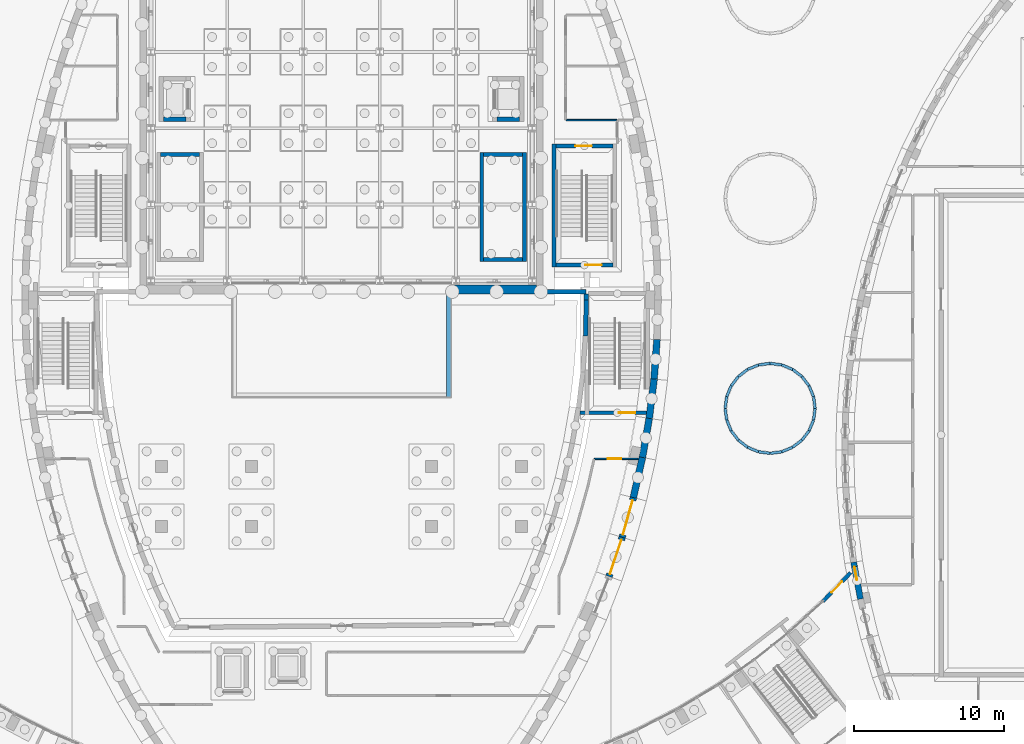
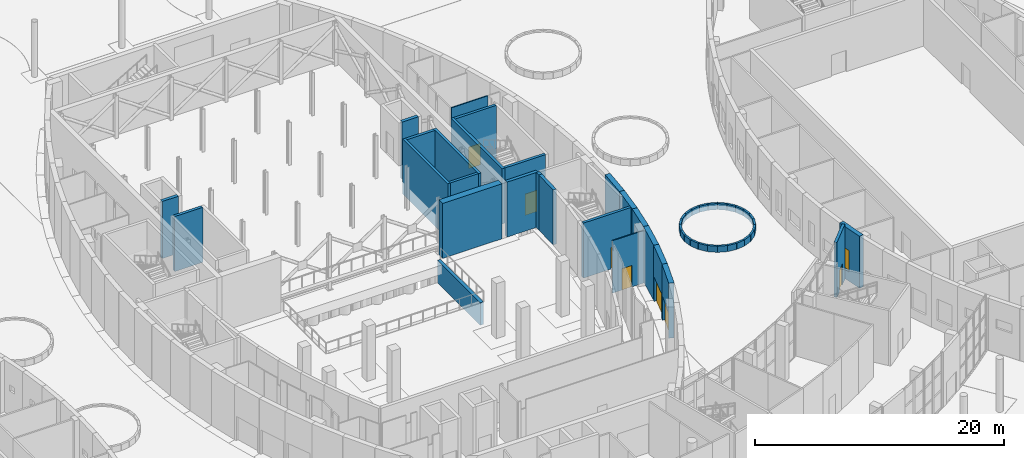
# One storey, part 52 of 82: 50 walls, 7 doors, 1 window, 8 openings.
"""IFC4 building model written with IfcOpenShell, lengths in metres."""

from ifc_helpers import new_model, si_unit, direction, frame, frame_2d, origin, place, context, subcontext, project, spatial, rectangle, extrude, material, layer, layer_set, type_object, element, fill, save


model = new_model("IFC4")

# Units and contexts
model_context = context("Model", 3, precision=1e-05, world=origin(), true_north=direction((0.0, 1.0)))
body_context = subcontext(model_context, "Body", "Model", "MODEL_VIEW")
ifc_project = project(units=[si_unit("LENGTHUNIT", "METRE"), si_unit("AREAUNIT", "SQUARE_METRE"), si_unit("VOLUMEUNIT", "CUBIC_METRE"), si_unit("PLANEANGLEUNIT", "RADIAN"), si_unit("MASSUNIT", "GRAM", prefix="KILO")], contexts=[model_context])

# Site, building, storey
site_placement = place(None, origin())
site = spatial("IfcSite", under=ifc_project, at=site_placement, CompositionType="ELEMENT")
building_placement = place(site_placement, origin())
building = spatial("IfcBuilding", under=site, at=building_placement, Name="Tide Square Theatres", CompositionType="ELEMENT")
storey_placement = place(building_placement, origin())
storey = spatial("IfcBuildingStorey", under=building, at=storey_placement, Name="L00", CompositionType="ELEMENT", Elevation=0.0)

# Wall
ifc_material_1 = material(Name="Gypsum board on steel studs", Category="steel")
ifc_layer_1 = layer(ifc_material_1, 0.10009765625)
ifc_layer_set_1 = layer_set([ifc_layer_1], Name="Gypsum board on steel studs")
wall_type_1 = type_object("IfcWallType", Name="Partition 100 thick", PredefinedType="PARTITIONING", material=ifc_layer_set_1)
wall_1_placement = place(storey_placement, frame((102.360107421875, 67.0, 0.0), z_axis=(0.0, 0.0, 1.0), x_axis=(-1.0, 0.0, 0.0)))
element("IfcWall", 1, at=wall_1_placement, inside=storey, type_object=wall_type_1, Name="Partition", PredefinedType="PARTITIONING", context=body_context, shape_type="SweptSolid", body=[
    extrude(rectangle(XDim=3.376953125, YDim=0.10009765625, at=frame_2d((1.6884765625, 0.0))), origin(), (0.0, 0.0, 1.0), 5.14990234375),
])

# Wall, opening, door
wall_2_placement = place(storey_placement, frame((100.86767578125, 44.39990234375, 0.0), z_axis=(0.0, 0.0, 1.0), x_axis=(1.0, 0.0, 0.0)))
wall_2 = element("IfcWall", 2, at=wall_2_placement, inside=storey, type_object=wall_type_1, Name="Partition", PredefinedType="PARTITIONING", context=body_context, shape_type="SweptSolid", body=[
    extrude(rectangle(XDim=2.9140625, YDim=0.10009765625, at=frame_2d((1.45703125, 0.0))), origin(), (0.0, 0.0, 1.0), 5.14990234375),
])
opening_1_placement = place(wall_2_placement, frame((0.906982421875, 0.0, 0.0)))
opening_1 = element("IfcOpeningElement", 3, at=opening_1_placement, cuts=wall_2, Name="Opening M00-30", PredefinedType="OPENING", context=body_context, shape_type="SweptSolid", body=[
    extrude(rectangle(XDim=0.89990234375, YDim=2.10009765625, at=frame_2d((0.449951171875, 1.050048828125))), frame((0.0, 0.06005859375, 0.0), z_axis=(0.0, -1.0, 0.0), x_axis=(1.0, 0.0, 0.0)), (0.0, 0.0, 1.0), 0.1201171875),
])
ifc_material_2 = material(Name="Hardwood timber", Category="wood")
door_type_1 = type_object("IfcDoorType", Name="Door 900 x 2100 single leaf", OperationType="NOTDEFINED", PredefinedType="DOOR", material=ifc_material_2)
door_1_placement = place(opening_1_placement, frame((0.89990234375, 0.0, 0.0), z_axis=(0.0, 0.0, 1.0), x_axis=(-1.0, 0.0, 0.0)))
door_1 = element("IfcDoor", 4, at=door_1_placement, inside=storey, type_object=door_type_1, Name="Wig and Make-up Room 01 door", OperationType="SINGLE_SWING_LEFT", OverallHeight=2.10009765625, OverallWidth=0.89990234375, PredefinedType="DOOR", context=body_context, shape_type="SweptSolid", body=[
    extrude(rectangle(XDim=0.89990234375, YDim=2.10009765625, at=frame_2d((0.449951171875, 1.050048828125))), frame((0.0, 0.02490234375, 0.0), z_axis=(0.0, -1.0, 0.0), x_axis=(1.0, 0.0, 0.0)), (0.0, 0.0, 1.0), 0.050048828125),
])
fill(opening_1, door_1)

# Wall, opening, window
ifc_material_3 = material(Name="Concrete C40", Category="concrete")
ifc_layer_2 = layer(ifc_material_3, 0.39990234375)
ifc_layer_set_2 = layer_set([ifc_layer_2], Name="Concrete C40")
wall_type_2 = type_object("IfcWallType", Name="RC curved wall 400 thick", PredefinedType="SOLIDWALL", material=ifc_layer_set_2)
wall_3_placement = place(storey_placement, frame((118.164794921875, 37.501953125, 0.0), z_axis=(0.0, 0.0, 1.0), x_axis=(0.182652956339, -0.983177449671, 0.0)))
wall_3 = element("IfcWall", 5, at=wall_3_placement, inside=storey, type_object=wall_type_2, Name="Black Box Theatre perimeter wall", PredefinedType="SOLIDWALL", context=body_context, shape_type="SweptSolid", body=[
    extrude(rectangle(XDim=2.496826171875, YDim=0.39990234375, at=frame_2d((1.24853515625, 0.0))), origin(), (0.0, 0.0, 1.0), 5.10009765625),
])
opening_2_placement = place(wall_3_placement, frame((0.307373046875, 0.0, 0.89990234375)))
opening_2 = element("IfcOpeningElement", 6, at=opening_2_placement, cuts=wall_3, Name="Opening WN-10", PredefinedType="OPENING", context=body_context, shape_type="SweptSolid", body=[
    extrude(rectangle(XDim=0.89990234375, YDim=2.10009765625, at=frame_2d((0.449951171875, 1.050048828125))), frame((0.0, 0.2099609375, 0.0), z_axis=(0.0, -1.0, 0.0), x_axis=(1.0, 0.0, 0.0)), (0.0, 0.0, 1.0), 0.419921875),
])
ifc_material_4 = material(Name="Aluminium with laminated glass", Category="aluminium")
window_type = type_object("IfcWindowType", Name="Window 900 x 2100", PartitioningType="SINGLE_PANEL", PredefinedType="WINDOW", material=ifc_material_4)
window_placement = place(opening_2_placement, origin())
window = element("IfcWindow", 7, at=window_placement, inside=storey, type_object=window_type, Name="Black Box Theatre Dressing Room 01 window", OverallHeight=2.10009765625, OverallWidth=0.89990234375, PartitioningType="SINGLE_PANEL", PredefinedType="WINDOW", context=body_context, shape_type="SweptSolid", body=[
    extrude(rectangle(XDim=0.89990234375, YDim=2.10009765625, at=frame_2d((0.449951171875, 1.050048828125))), frame((0.0, 0.030029296875, 0.0), z_axis=(0.0, -1.0, 0.0), x_axis=(1.0, 0.0, 0.0)), (0.0, 0.0, 1.0), 0.06005859375),
])
fill(opening_2, window)

# Wall, opening, door
ifc_material_5 = material(Name="Concrete C40", Category="concrete")
ifc_layer_3 = layer(ifc_material_5, 0.449951171875)
ifc_layer_set_3 = layer_set([ifc_layer_3], Name="Concrete C40")
wall_type_3 = type_object("IfcWallType", Name="RC curved wall 450 thick", PredefinedType="SOLIDWALL", material=ifc_layer_set_3)
wall_4_placement = place(storey_placement, frame((101.846923828125, 36.55322265625, 0.0), z_axis=(0.0, 0.0, 1.0), x_axis=(0.318887614688, 0.947792534893, 0.0)))
wall_4 = element("IfcWall", 8, at=wall_4_placement, inside=storey, type_object=wall_type_3, Name="Main Theatre perimeter wall", PredefinedType="SOLIDWALL", context=body_context, shape_type="SweptSolid", body=[
    extrude(rectangle(XDim=2.75244140625, YDim=0.449951171875, at=frame_2d((1.376220703125, 0.0))), origin(), (0.0, 0.0, 1.0), 5.39990234375),
])
opening_3_placement = place(wall_4_placement, frame((0.176025390625, 0.0, 0.0)))
opening_3 = element("IfcOpeningElement", 9, at=opening_3_placement, cuts=wall_4, Name="Opening M00-15", PredefinedType="OPENING", context=body_context, shape_type="SweptSolid", body=[
    extrude(rectangle(XDim=2.39990234375, YDim=2.39990234375, at=frame_2d((1.199951171875, 1.199951171875))), frame((0.0, 0.23486328125, 0.0), z_axis=(0.0, -1.0, 0.0), x_axis=(1.0, 0.0, 0.0)), (0.0, 0.0, 1.0), 0.469970703125),
])
ifc_material_6 = material(Name="Hardwood timber", Category="wood")
door_type_2 = type_object("IfcDoorType", Name="Door 2400 x 2400 double leaf", OperationType="DOUBLE_DOOR_SINGLE_SWING", PredefinedType="DOOR", material=ifc_material_6)
door_2_placement = place(opening_3_placement, frame((2.39990234375, 0.0, 0.0), z_axis=(0.0, 0.0, 1.0), x_axis=(-1.0, 0.0, 0.0)))
door_2 = element("IfcDoor", 10, at=door_2_placement, inside=storey, type_object=door_type_2, Name="Main Theatre exit doors", OperationType="DOUBLE_DOOR_SINGLE_SWING", OverallHeight=2.39990234375, OverallWidth=2.39990234375, PredefinedType="DOOR", context=body_context, shape_type="SweptSolid", body=[
    extrude(rectangle(XDim=2.39990234375, YDim=2.39990234375, at=frame_2d((1.199951171875, 1.199951171875))), frame((0.0, 0.02490234375, 0.0), z_axis=(0.0, -1.0, 0.0), x_axis=(1.0, 0.0, 0.0)), (0.0, 0.0, 1.0), 0.050048828125),
])
fill(opening_3, door_2)

wall_5_placement = place(storey_placement, frame((102.724609375, 39.161865234375, 0.0), z_axis=(0.0, 0.0, 1.0), x_axis=(0.270008269196, 0.962858003324, 0.0)))
wall_5 = element("IfcWall", 11, at=wall_5_placement, inside=storey, type_object=wall_type_3, Name="Main Theatre perimeter wall", PredefinedType="SOLIDWALL", context=body_context, shape_type="SweptSolid", body=[
    extrude(rectangle(XDim=2.75244140625, YDim=0.449951171875, at=frame_2d((1.376220703125, 0.0))), origin(), (0.0, 0.0, 1.0), 5.39990234375),
])
opening_4_placement = place(wall_5_placement, frame((0.176025390625, 0.0, 0.0)))
opening_4 = element("IfcOpeningElement", 12, at=opening_4_placement, cuts=wall_5, Name="Opening M00-16", PredefinedType="OPENING", context=body_context, shape_type="SweptSolid", body=[
    extrude(rectangle(XDim=2.39990234375, YDim=2.39990234375, at=frame_2d((1.199951171875, 1.199951171875))), frame((0.0, 0.23486328125, 0.0), z_axis=(0.0, -1.0, 0.0), x_axis=(1.0, 0.0, 0.0)), (0.0, 0.0, 1.0), 0.469970703125),
])
door_3_placement = place(opening_4_placement, frame((2.39990234375, 0.0, 0.0), z_axis=(0.0, 0.0, 1.0), x_axis=(-1.0, 0.0, 0.0)))
door_3 = element("IfcDoor", 13, at=door_3_placement, inside=storey, type_object=door_type_2, Name="Main Theatre exit doors", OperationType="DOUBLE_DOOR_SINGLE_SWING", OverallHeight=2.39990234375, OverallWidth=2.39990234375, PredefinedType="DOOR", context=body_context, shape_type="SweptSolid", body=[
    extrude(rectangle(XDim=2.39990234375, YDim=2.39990234375, at=frame_2d((1.199951171875, 1.199951171875))), frame((0.0, 0.02490234375, 0.0), z_axis=(0.0, -1.0, 0.0), x_axis=(1.0, 0.0, 0.0)), (0.0, 0.0, 1.0), 0.050048828125),
])
fill(opening_4, door_3)

# Walls
wall_6_placement = place(storey_placement, frame((103.4677734375, 41.81201171875, 0.0), z_axis=(0.0, 0.0, 1.0), x_axis=(0.220347996563, 0.975421324562, 0.0)))
element("IfcWall", 14, at=wall_6_placement, inside=storey, type_object=wall_type_3, Name="Main Theatre perimeter wall", PredefinedType="SOLIDWALL", context=body_context, shape_type="SweptSolid", body=[
    extrude(rectangle(XDim=2.752197265625, YDim=0.449951171875, at=frame_2d((1.3759765625, 0.0))), origin(), (0.0, 0.0, 1.0), 5.39990234375),
])
wall_7_placement = place(storey_placement, frame((104.07421875, 44.49658203125, 0.0), z_axis=(0.0, 0.0, 1.0), x_axis=(0.171196910379, 0.985236833394, 0.0)))
element("IfcWall", 15, at=wall_7_placement, inside=storey, type_object=wall_type_3, Name="Main Theatre perimeter wall", PredefinedType="SOLIDWALL", context=body_context, shape_type="SweptSolid", body=[
    extrude(rectangle(XDim=2.642578125, YDim=0.449951171875, at=frame_2d((1.3212890625, 0.0))), origin(), (0.0, 0.0, 1.0), 5.39990234375),
])
wall_8_placement = place(storey_placement, frame((104.526611328125, 47.10009765625, 0.0), z_axis=(0.0, 0.0, 1.0), x_axis=(0.122499610212, 0.992468561466, 0.0)))
element("IfcWall", 16, at=wall_8_placement, inside=storey, type_object=wall_type_3, Name="Main Theatre perimeter wall", PredefinedType="SOLIDWALL", context=body_context, shape_type="SweptSolid", body=[
    extrude(rectangle(XDim=2.642822265625, YDim=0.449951171875, at=frame_2d((1.3212890625, 0.0))), origin(), (0.0, 0.0, 1.0), 5.39990234375),
])
wall_9_placement = place(storey_placement, frame((104.850341796875, 49.722900390625, 0.0), z_axis=(0.0, 0.0, 1.0), x_axis=(0.07363685767, 0.997285121313, 0.0)))
element("IfcWall", 17, at=wall_9_placement, inside=storey, type_object=wall_type_3, Name="Main Theatre perimeter wall", PredefinedType="SOLIDWALL", context=body_context, shape_type="SweptSolid", body=[
    extrude(rectangle(XDim=2.642333984375, YDim=0.449951171875, at=frame_2d((1.3212890625, 0.0))), origin(), (0.0, 0.0, 1.0), 5.39990234375),
])
ifc_material_7 = material(Name="Concrete C40", Category="concrete")
ifc_layer_4 = layer(ifc_material_7, 0.179931640625)
ifc_layer_set_4 = layer_set([ifc_layer_4], Name="Concrete C40")
wall_type_4 = type_object("IfcWallType", Name="RC parapet 180 thick", PredefinedType="PARAPET", material=ifc_layer_set_4)
wall_10_placement = place(storey_placement, frame((115.593017578125, 47.766845703125, 0.0), z_axis=(0.0, 0.0, 1.0), x_axis=(-0.130591571678, -0.991436251812, 0.0)))
element("IfcWall", 18, at=wall_10_placement, inside=storey, type_object=wall_type_4, Name="Planter wall", PredefinedType="PARAPET", context=body_context, shape_type="SweptSolid", body=[
    extrude(rectangle(XDim=0.783203125, YDim=0.179931640625, at=frame_2d((0.3916015625, 0.0))), origin(), (0.0, 0.0, 1.0), 0.60009765625),
])
wall_11_placement = place(storey_placement, frame((115.49072265625, 46.990234375, 0.0), z_axis=(0.0, 0.0, 1.0), x_axis=(-0.382865774813, -0.923803982713, 0.0)))
element("IfcWall", 19, at=wall_11_placement, inside=storey, type_object=wall_type_4, Name="Planter wall", PredefinedType="PARAPET", context=body_context, shape_type="SweptSolid", body=[
    extrude(rectangle(XDim=0.782958984375, YDim=0.179931640625, at=frame_2d((0.3916015625, 0.0))), origin(), (0.0, 0.0, 1.0), 0.60009765625),
])
wall_12_placement = place(storey_placement, frame((115.19091796875, 46.266845703125, 0.0), z_axis=(0.0, 0.0, 1.0), x_axis=(-0.608791411033, -0.793330333374, 0.0)))
element("IfcWall", 20, at=wall_12_placement, inside=storey, type_object=wall_type_4, Name="Planter wall", PredefinedType="PARAPET", context=body_context, shape_type="SweptSolid", body=[
    extrude(rectangle(XDim=0.783203125, YDim=0.179931640625, at=frame_2d((0.3916015625, 0.0))), origin(), (0.0, 0.0, 1.0), 0.60009765625),
])
wall_13_placement = place(storey_placement, frame((114.714111328125, 45.6455078125, 0.0), z_axis=(0.0, 0.0, 1.0), x_axis=(-0.793214758236, -0.608941990108, 0.0)))
element("IfcWall", 21, at=wall_13_placement, inside=storey, type_object=wall_type_4, Name="Planter wall", PredefinedType="PARAPET", context=body_context, shape_type="SweptSolid", body=[
    extrude(rectangle(XDim=0.782958984375, YDim=0.179931640625, at=frame_2d((0.3916015625, 0.0))), origin(), (0.0, 0.0, 1.0), 0.60009765625),
])
wall_14_placement = place(storey_placement, frame((114.093017578125, 45.168701171875, 0.0), z_axis=(0.0, 0.0, 1.0), x_axis=(-0.923849665613, -0.382755529478, 0.0)))
element("IfcWall", 22, at=wall_14_placement, inside=storey, type_object=wall_type_4, Name="Planter wall", PredefinedType="PARAPET", context=body_context, shape_type="SweptSolid", body=[
    extrude(rectangle(XDim=0.783203125, YDim=0.179931640625, at=frame_2d((0.3916015625, 0.0))), origin(), (0.0, 0.0, 1.0), 0.60009765625),
])
wall_15_placement = place(storey_placement, frame((113.369384765625, 44.868896484375, 0.0), z_axis=(0.0, 0.0, 1.0), x_axis=(-0.9914712665, -0.130325468364, 0.0)))
element("IfcWall", 23, at=wall_15_placement, inside=storey, type_object=wall_type_4, Name="Planter wall", PredefinedType="PARAPET", context=body_context, shape_type="SweptSolid", body=[
    extrude(rectangle(XDim=0.782958984375, YDim=0.179931640625, at=frame_2d((0.3916015625, 0.0))), origin(), (0.0, 0.0, 1.0), 0.60009765625),
])
wall_16_placement = place(storey_placement, frame((112.593017578125, 44.766845703125, 0.0), z_axis=(0.0, 0.0, 1.0), x_axis=(-0.991476559602, 0.130285193937, 0.0)))
element("IfcWall", 24, at=wall_16_placement, inside=storey, type_object=wall_type_4, Name="Planter wall", PredefinedType="PARAPET", context=body_context, shape_type="SweptSolid", body=[
    extrude(rectangle(XDim=0.783203125, YDim=0.179931640625, at=frame_2d((0.3916015625, 0.0))), origin(), (0.0, 0.0, 1.0), 0.60009765625),
])
wall_17_placement = place(storey_placement, frame((111.81640625, 44.868896484375, 0.0), z_axis=(0.0, 0.0, 1.0), x_axis=(-0.923803982713, 0.382865774813, 0.0)))
element("IfcWall", 25, at=wall_17_placement, inside=storey, type_object=wall_type_4, Name="Planter wall", PredefinedType="PARAPET", context=body_context, shape_type="SweptSolid", body=[
    extrude(rectangle(XDim=0.782958984375, YDim=0.179931640625, at=frame_2d((0.3916015625, 0.0))), origin(), (0.0, 0.0, 1.0), 0.60009765625),
])
for number, where, z_axis, x_axis, name in (
    (26, (111.093017578125, 45.168701171875, 0.0), (0.0, 0.0, 1.0), (-0.793330333374, 0.608791411033, 0.0), "Planter wall"),
    (27, (110.4716796875, 45.6455078125, 0.0), (0.0, 0.0, 1.0), (-0.608791411033, 0.793330333374, 0.0), "Planter wall"),
):
    element("IfcWall", number, at=place(storey_placement, frame(where, z_axis=z_axis, x_axis=x_axis)), inside=storey, type_object=wall_type_4, Name=name, PredefinedType="PARAPET", context=body_context, shape_type="SweptSolid", body=[
        extrude(rectangle(XDim=0.783203125, YDim=0.179931640625, at=frame_2d((0.3916015625, 0.0))), origin(), (0.0, 0.0, 1.0), 0.60009765625),
    ])
wall_18_placement = place(storey_placement, frame((109.994873046875, 46.266845703125, 0.0), z_axis=(0.0, 0.0, 1.0), x_axis=(-0.382865774813, 0.923803982713, 0.0)))
element("IfcWall", 28, at=wall_18_placement, inside=storey, type_object=wall_type_4, Name="Planter wall", PredefinedType="PARAPET", context=body_context, shape_type="SweptSolid", body=[
    extrude(rectangle(XDim=0.782958984375, YDim=0.179931640625, at=frame_2d((0.3916015625, 0.0))), origin(), (0.0, 0.0, 1.0), 0.60009765625),
])
wall_19_placement = place(storey_placement, frame((109.695068359375, 46.990234375, 0.0), z_axis=(0.0, 0.0, 1.0), x_axis=(-0.130285193937, 0.991476559602, 0.0)))
element("IfcWall", 29, at=wall_19_placement, inside=storey, type_object=wall_type_4, Name="Planter wall", PredefinedType="PARAPET", context=body_context, shape_type="SweptSolid", body=[
    extrude(rectangle(XDim=0.783203125, YDim=0.179931640625, at=frame_2d((0.3916015625, 0.0))), origin(), (0.0, 0.0, 1.0), 0.60009765625),
])
wall_20_placement = place(storey_placement, frame((109.593017578125, 47.766845703125, 0.0), z_axis=(0.0, 0.0, 1.0), x_axis=(0.130325468364, 0.9914712665, 0.0)))
element("IfcWall", 30, at=wall_20_placement, inside=storey, type_object=wall_type_4, Name="Planter wall", PredefinedType="PARAPET", context=body_context, shape_type="SweptSolid", body=[
    extrude(rectangle(XDim=0.782958984375, YDim=0.179931640625, at=frame_2d((0.3916015625, 0.0))), origin(), (0.0, 0.0, 1.0), 0.60009765625),
])
for number, where, z_axis, x_axis, name in (
    (31, (109.695068359375, 48.543212890625, 0.0), (0.0, 0.0, 1.0), (0.382755529478, 0.923849665613, 0.0), "Planter wall"),
    (32, (109.994873046875, 49.266845703125, 0.0), (0.0, 0.0, 1.0), (0.608791411033, 0.793330333374, 0.0), "Planter wall"),
    (33, (110.4716796875, 49.88818359375, 0.0), (0.0, 0.0, 1.0), (0.793330333374, 0.608791411033, 0.0), "Planter wall"),
):
    element("IfcWall", number, at=place(storey_placement, frame(where, z_axis=z_axis, x_axis=x_axis)), inside=storey, type_object=wall_type_4, Name=name, PredefinedType="PARAPET", context=body_context, shape_type="SweptSolid", body=[
        extrude(rectangle(XDim=0.783203125, YDim=0.179931640625, at=frame_2d((0.3916015625, 0.0))), origin(), (0.0, 0.0, 1.0), 0.60009765625),
    ])
wall_21_placement = place(storey_placement, frame((111.093017578125, 50.364990234375, 0.0), z_axis=(0.0, 0.0, 1.0), x_axis=(0.923914231908, 0.382599649866, 0.0)))
element("IfcWall", 34, at=wall_21_placement, inside=storey, type_object=wall_type_4, Name="Planter wall", PredefinedType="PARAPET", context=body_context, shape_type="SweptSolid", body=[
    extrude(rectangle(XDim=0.782958984375, YDim=0.179931640625, at=frame_2d((0.3916015625, 0.0))), origin(), (0.0, 0.0, 1.0), 0.60009765625),
])
wall_22_placement = place(storey_placement, frame((111.81640625, 50.66455078125, 0.0), z_axis=(0.0, 0.0, 1.0), x_axis=(0.991436251812, 0.130591571678, 0.0)))
element("IfcWall", 35, at=wall_22_placement, inside=storey, type_object=wall_type_4, Name="Planter wall", PredefinedType="PARAPET", context=body_context, shape_type="SweptSolid", body=[
    extrude(rectangle(XDim=0.783203125, YDim=0.179931640625, at=frame_2d((0.3916015625, 0.0))), origin(), (0.0, 0.0, 1.0), 0.60009765625),
])
wall_23_placement = place(storey_placement, frame((112.593017578125, 50.766845703125, 0.0), z_axis=(0.0, 0.0, 1.0), x_axis=(0.991430934002, -0.130631937531, 0.0)))
element("IfcWall", 36, at=wall_23_placement, inside=storey, type_object=wall_type_4, Name="Planter wall", PredefinedType="PARAPET", context=body_context, shape_type="SweptSolid", body=[
    extrude(rectangle(XDim=0.782958984375, YDim=0.179931640625, at=frame_2d((0.3916015625, 0.0))), origin(), (0.0, 0.0, 1.0), 0.60009765625),
])
wall_24_placement = place(storey_placement, frame((113.369384765625, 50.66455078125, 0.0), z_axis=(0.0, 0.0, 1.0), x_axis=(0.923959856763, -0.382489454875, 0.0)))
element("IfcWall", 37, at=wall_24_placement, inside=storey, type_object=wall_type_4, Name="Planter wall", PredefinedType="PARAPET", context=body_context, shape_type="SweptSolid", body=[
    extrude(rectangle(XDim=0.783203125, YDim=0.179931640625, at=frame_2d((0.3916015625, 0.0))), origin(), (0.0, 0.0, 1.0), 0.60009765625),
])
wall_25_placement = place(storey_placement, frame((114.093017578125, 50.364990234375, 0.0), z_axis=(0.0, 0.0, 1.0), x_axis=(0.793214758236, -0.608941990108, 0.0)))
element("IfcWall", 38, at=wall_25_placement, inside=storey, type_object=wall_type_4, Name="Planter wall", PredefinedType="PARAPET", context=body_context, shape_type="SweptSolid", body=[
    extrude(rectangle(XDim=0.782958984375, YDim=0.179931640625, at=frame_2d((0.3916015625, 0.0))), origin(), (0.0, 0.0, 1.0), 0.60009765625),
])
for number, where, z_axis, x_axis, name in (
    (39, (114.714111328125, 49.88818359375, 0.0), (0.0, 0.0, 1.0), (0.608791411033, -0.793330333374, 0.0), "Planter wall"),
    (40, (115.19091796875, 49.266845703125, 0.0), (0.0, 0.0, 1.0), (0.382755529478, -0.923849665613, 0.0), "Planter wall"),
):
    element("IfcWall", number, at=place(storey_placement, frame(where, z_axis=z_axis, x_axis=x_axis)), inside=storey, type_object=wall_type_4, Name=name, PredefinedType="PARAPET", context=body_context, shape_type="SweptSolid", body=[
        extrude(rectangle(XDim=0.783203125, YDim=0.179931640625, at=frame_2d((0.3916015625, 0.0))), origin(), (0.0, 0.0, 1.0), 0.60009765625),
    ])
wall_26_placement = place(storey_placement, frame((115.49072265625, 48.543212890625, 0.0), z_axis=(0.0, 0.0, 1.0), x_axis=(0.130631937531, -0.991430934002, 0.0)))
element("IfcWall", 41, at=wall_26_placement, inside=storey, type_object=wall_type_4, Name="Planter wall", PredefinedType="PARAPET", context=body_context, shape_type="SweptSolid", body=[
    extrude(rectangle(XDim=0.782958984375, YDim=0.179931640625, at=frame_2d((0.3916015625, 0.0))), origin(), (0.0, 0.0, 1.0), 0.60009765625),
])
ifc_material_8 = material(Name="Concrete C40", Category="concrete")
ifc_layer_5 = layer(ifc_material_8, 0.25)
ifc_layer_set_5 = layer_set([ifc_layer_5], Name="Concrete C40")
wall_type_5 = type_object("IfcWallType", Name="RC shear wall 250 thick", PredefinedType="SHEAR", material=ifc_layer_set_5)
wall_27_placement = place(storey_placement, frame((98.175048828125, 65.39990234375, 0.0), z_axis=(0.0, 0.0, 1.0), x_axis=(0.0, -1.0, 0.0)))
element("IfcWall", 42, at=wall_27_placement, inside=storey, type_object=wall_type_5, Name="Main Theatre East Stair shaft wall", PredefinedType="SHEAR", context=body_context, shape_type="SweptSolid", body=[
    extrude(rectangle(XDim=8.199951171875, YDim=0.25, at=frame_2d((4.10009765625, 0.0))), origin(), (0.0, 0.0, 1.0), 5.39990234375),
])

# Wall, opening, door
wall_28_placement = place(storey_placement, frame((98.300048828125, 65.27490234375, 0.0), z_axis=(0.0, 0.0, 1.0), x_axis=(1.0, 0.0, 0.0)))
wall_28 = element("IfcWall", 43, at=wall_28_placement, inside=storey, type_object=wall_type_5, Name="Main Theatre East Stair shaft wall", PredefinedType="SHEAR", context=body_context, shape_type="SweptSolid", body=[
    extrude(rectangle(XDim=3.800048828125, YDim=0.25, at=frame_2d((1.89990234375, 0.0))), origin(), (0.0, 0.0, 1.0), 5.39990234375),
])
opening_5_placement = place(wall_28_placement, frame((1.300048828125, 0.0, 0.0)))
opening_5 = element("IfcOpeningElement", 44, at=opening_5_placement, cuts=wall_28, Name="Opening M00-04", PredefinedType="OPENING", context=body_context, shape_type="SweptSolid", body=[
    extrude(rectangle(XDim=1.10009765625, YDim=2.10009765625, at=frame_2d((0.550048828125, 1.050048828125))), frame((0.0, 0.135009765625, 0.0), z_axis=(0.0, -1.0, 0.0), x_axis=(1.0, 0.0, 0.0)), (0.0, 0.0, 1.0), 0.27001953125),
])
ifc_material_9 = material(Name="Painted steel", Category="steel")
door_type_3 = type_object("IfcDoorType", Name="Door 1100 x 2100 single leaf", OperationType="NOTDEFINED", PredefinedType="DOOR", material=ifc_material_9)
door_4_placement = place(opening_5_placement, origin())
door_4 = element("IfcDoor", 45, at=door_4_placement, inside=storey, type_object=door_type_3, Name="Main Theatre East Stair stair exit door", OperationType="SINGLE_SWING_RIGHT", OverallHeight=2.10009765625, OverallWidth=1.10009765625, PredefinedType="DOOR", context=body_context, shape_type="SweptSolid", body=[
    extrude(rectangle(XDim=1.10009765625, YDim=2.10009765625, at=frame_2d((0.550048828125, 1.050048828125))), frame((0.0, 0.02490234375, 0.0), z_axis=(0.0, -1.0, 0.0), x_axis=(1.0, 0.0, 0.0)), (0.0, 0.0, 1.0), 0.050048828125),
])
fill(opening_5, door_4)

wall_29_placement = place(storey_placement, frame((102.10009765625, 57.324951171875, 0.0), z_axis=(0.0, 0.0, 1.0), x_axis=(-1.0, 0.0, 0.0)))
wall_29 = element("IfcWall", 46, at=wall_29_placement, inside=storey, type_object=wall_type_5, Name="Main Theatre East Stair shaft wall", PredefinedType="SHEAR", context=body_context, shape_type="SweptSolid", body=[
    extrude(rectangle(XDim=3.800048828125, YDim=0.25, at=frame_2d((1.89990234375, 0.0))), origin(), (0.0, 0.0, 1.0), 5.39990234375),
])
opening_6_placement = place(wall_29_placement, frame((0.75, 0.0, 0.0)))
opening_6 = element("IfcOpeningElement", 47, at=opening_6_placement, cuts=wall_29, Name="Opening M00-03", PredefinedType="OPENING", context=body_context, shape_type="SweptSolid", body=[
    extrude(rectangle(XDim=1.10009765625, YDim=2.10009765625, at=frame_2d((0.550048828125, 1.050048828125))), frame((0.0, 0.135009765625, 0.0), z_axis=(0.0, -1.0, 0.0), x_axis=(1.0, 0.0, 0.0)), (0.0, 0.0, 1.0), 0.27001953125),
])
door_5_placement = place(opening_6_placement, origin())
door_5 = element("IfcDoor", 48, at=door_5_placement, inside=storey, type_object=door_type_3, Name="Main Theatre East Stair stair door", OperationType="SINGLE_SWING_LEFT", OverallHeight=2.10009765625, OverallWidth=1.10009765625, PredefinedType="DOOR", context=body_context, shape_type="SweptSolid", body=[
    extrude(rectangle(XDim=1.10009765625, YDim=2.10009765625, at=frame_2d((0.550048828125, 1.050048828125))), frame((0.0, 0.02490234375, 0.0), z_axis=(0.0, -1.0, 0.0), x_axis=(1.0, 0.0, 0.0)), (0.0, 0.0, 1.0), 0.050048828125),
])
fill(opening_6, door_5)

wall_30_placement = place(storey_placement, frame((104.330078125, 47.47509765625, 0.0), z_axis=(0.0, 0.0, 1.0), x_axis=(-1.0, 0.0, 0.0)))
wall_30 = element("IfcWall", 49, at=wall_30_placement, inside=storey, type_object=wall_type_5, Name="Main Theatre East Circle Stair shaft wall", PredefinedType="SHEAR", context=body_context, shape_type="SweptSolid", body=[
    extrude(rectangle(XDim=4.43017578125, YDim=0.25, at=frame_2d((2.215087890625, 0.0))), origin(), (0.0, 0.0, 1.0), 5.39990234375),
])
opening_7_placement = place(wall_30_placement, frame((0.75, 0.0, 0.0)))
opening_7 = element("IfcOpeningElement", 50, at=opening_7_placement, cuts=wall_30, Name="Opening M00-06", PredefinedType="OPENING", context=body_context, shape_type="SweptSolid", body=[
    extrude(rectangle(XDim=1.10009765625, YDim=2.10009765625, at=frame_2d((0.550048828125, 1.050048828125))), frame((0.0, 0.135009765625, 0.0), z_axis=(0.0, -1.0, 0.0), x_axis=(1.0, 0.0, 0.0)), (0.0, 0.0, 1.0), 0.27001953125),
])
door_6_placement = place(opening_7_placement, origin())
door_6 = element("IfcDoor", 51, at=door_6_placement, inside=storey, type_object=door_type_3, Name="Main Theatre East Circle Stair stair door", OperationType="SINGLE_SWING_RIGHT", OverallHeight=2.10009765625, OverallWidth=1.10009765625, PredefinedType="DOOR", context=body_context, shape_type="SweptSolid", body=[
    extrude(rectangle(XDim=1.10009765625, YDim=2.10009765625, at=frame_2d((0.550048828125, 1.050048828125))), frame((0.0, 0.02490234375, 0.0), z_axis=(0.0, -1.0, 0.0), x_axis=(1.0, 0.0, 0.0)), (0.0, 0.0, 1.0), 0.050048828125),
])
fill(opening_7, door_6)

# Walls
wall_31_placement = place(storey_placement, frame((71.926025390625, 64.700927734375, 0.0), z_axis=(0.0, 0.0, 1.0), x_axis=(1.0, 0.0, 0.0)))
element("IfcWall", 52, at=wall_31_placement, inside=storey, type_object=wall_type_5, Name="Fly Tower west stair base shaft wall", PredefinedType="SHEAR", context=body_context, shape_type="SweptSolid", body=[
    extrude(rectangle(XDim=2.599853515625, YDim=0.25, at=frame_2d((1.2998046875, 0.0))), origin(), (0.0, 0.0, 1.0), 5.39990234375),
])
for number, where, z_axis, x_axis, name in (
    (53, (96.198974609375, 57.575927734375, 0.0), (0.0, 0.0, 1.0), (0.0, 1.0, 0.0), "Fly Tower east stair base shaft wall"),
    (54, (93.34912109375, 64.825927734375, 0.0), (0.0, 0.0, 1.0), (0.0, -1.0, 0.0), "Fly Tower east stair base shaft wall"),
):
    element("IfcWall", number, at=place(storey_placement, frame(where, z_axis=z_axis, x_axis=x_axis)), inside=storey, type_object=wall_type_5, Name=name, PredefinedType="SHEAR", context=body_context, shape_type="SweptSolid", body=[
        extrude(rectangle(XDim=7.25, YDim=0.25, at=frame_2d((3.625, 0.0))), origin(), (0.0, 0.0, 1.0), 5.39990234375),
    ])
for number, where, z_axis, x_axis, name in (
    (55, (93.47412109375, 64.700927734375, 0.0), (0.0, 0.0, 1.0), (1.0, 0.0, 0.0), "Fly Tower east stair base shaft wall"),
    (56, (96.073974609375, 57.700927734375, 0.0), (0.0, 0.0, 1.0), (-1.0, 0.0, 0.0), "Fly Tower east stair base shaft wall"),
):
    element("IfcWall", number, at=place(storey_placement, frame(where, z_axis=z_axis, x_axis=x_axis)), inside=storey, type_object=wall_type_5, Name=name, PredefinedType="SHEAR", context=body_context, shape_type="SweptSolid", body=[
        extrude(rectangle(XDim=2.599853515625, YDim=0.25, at=frame_2d((1.2998046875, 0.0))), origin(), (0.0, 0.0, 1.0), 5.39990234375),
    ])

# Wall, opening, door
wall_32_placement = place(storey_placement, frame((117.96337890625, 36.807373046875, 0.0), z_axis=(0.0, 0.0, 1.0), x_axis=(-0.694251740415, -0.71973225642, 0.0)))
wall_32 = element("IfcWall", 57, at=wall_32_placement, inside=storey, type_object=wall_type_5, Name="Foyer court door pier wall", PredefinedType="SHEAR", context=body_context, shape_type="SweptSolid", body=[
    extrude(rectangle(XDim=2.64453125, YDim=0.25, at=frame_2d((1.322265625, 0.0))), origin(), (0.0, 0.0, 1.0), 5.39990234375),
])
opening_8_placement = place(wall_32_placement, frame((0.822265625, 0.0, 0.0)))
opening_8 = element("IfcOpeningElement", 58, at=opening_8_placement, cuts=wall_32, Name="Opening F00-11", PredefinedType="OPENING", context=body_context, shape_type="SweptSolid", body=[
    extrude(rectangle(XDim=1.0, YDim=2.10009765625, at=frame_2d((0.5, 1.050048828125))), frame((0.0, 0.135009765625, 0.0), z_axis=(0.0, -1.0, 0.0), x_axis=(1.0, 0.0, 0.0)), (0.0, 0.0, 1.0), 0.27001953125),
])
ifc_material_10 = material(Name="Hardwood timber", Category="wood")
door_type_4 = type_object("IfcDoorType", Name="Door 1000 x 2100 single leaf", OperationType="NOTDEFINED", PredefinedType="DOOR", material=ifc_material_10)
door_7_placement = place(opening_8_placement, origin())
door_7 = element("IfcDoor", 59, at=door_7_placement, inside=storey, type_object=door_type_4, Name="Foyer court door", OperationType="SINGLE_SWING_RIGHT", OverallHeight=2.10009765625, OverallWidth=1.0, PredefinedType="DOOR", context=body_context, shape_type="SweptSolid", body=[
    extrude(rectangle(XDim=1.0, YDim=2.10009765625, at=frame_2d((0.5, 1.050048828125))), frame((0.0, 0.02490234375, 0.0), z_axis=(0.0, -1.0, 0.0), x_axis=(1.0, 0.0, 0.0)), (0.0, 0.0, 1.0), 0.050048828125),
])
fill(opening_8, door_7)

# Walls
ifc_material_11 = material(Name="Concrete C40", Category="concrete")
ifc_layer_6 = layer(ifc_material_11, 0.300048828125)
ifc_layer_set_6 = layer_set([ifc_layer_6], Name="Concrete C40")
wall_type_6 = type_object("IfcWallType", Name="RC shear wall 300 thick", PredefinedType="SHEAR", material=ifc_layer_set_6)
wall_33_placement = place(storey_placement, frame((100.2744140625, 52.5927734375, 0.0), z_axis=(0.0, 0.0, 1.0), x_axis=(0.024536221488, 0.999698941599, 0.0)))
element("IfcWall", 60, at=wall_33_placement, inside=storey, type_object=wall_type_6, Name="Main Theatre auditorium wall", PredefinedType="SHEAR", context=body_context, shape_type="SweptSolid", body=[
    extrude(rectangle(XDim=2.407958984375, YDim=0.300048828125, at=frame_2d((1.2041015625, 0.0))), origin(), (0.0, 0.0, 1.0), 5.39990234375),
])
wall_34_placement = place(storey_placement, frame((100.33349609375, 55.0, 0.0), z_axis=(0.0, 0.0, 1.0), x_axis=(-0.024412746386, 0.999701964494, 0.0)))
element("IfcWall", 61, at=wall_34_placement, inside=storey, type_object=wall_type_6, Name="Main Theatre auditorium wall", PredefinedType="SHEAR", context=body_context, shape_type="SweptSolid", body=[
    extrude(rectangle(XDim=0.39990234375, YDim=0.300048828125, at=frame_2d((0.199951171875, 0.0))), origin(), (0.0, 0.0, 1.0), 5.39990234375),
])
wall_35_placement = place(storey_placement, frame((100.32373046875, 55.550048828125, 0.0), z_axis=(0.0, 0.0, 1.0), x_axis=(-1.0, 0.0, 0.0)))
element("IfcWall", 62, at=wall_35_placement, inside=storey, type_object=wall_type_6, Name="Main Theatre auditorium wall", PredefinedType="SHEAR", context=body_context, shape_type="SweptSolid", body=[
    extrude(rectangle(XDim=2.873779296875, YDim=0.300048828125, at=frame_2d((1.43701171875, 0.0))), origin(), (0.0, 0.0, 1.0), 5.39990234375),
])
wall_36_placement = place(storey_placement, frame((91.14990234375, 48.5, -2.199951171875), z_axis=(0.0, 0.0, 1.0), x_axis=(0.0, 1.0, 0.0)))
element("IfcWall", 63, at=wall_36_placement, inside=storey, type_object=wall_type_6, Name="Orchestra pit wall", PredefinedType="SHEAR", context=body_context, shape_type="SweptSolid", body=[
    extrude(rectangle(XDim=6.89990234375, YDim=0.300048828125, at=frame_2d((3.449951171875, 0.0))), origin(), (0.0, 0.0, 1.0), 2.199951171875),
])
for number, where, z_axis, x_axis, name in (
    (64, (72.1259765625, 67.050048828125, -0.199951171875), (0.0, 0.0, 1.0), (1.0, 0.0, 0.0), "Fly Tower lift 11 shaft wall"),
    (65, (94.3740234375, 67.050048828125, -0.199951171875), (0.0, 0.0, 1.0), (1.0, 0.0, 0.0), "Fly Tower lift 12 shaft wall"),
):
    element("IfcWall", number, at=place(storey_placement, frame(where, z_axis=z_axis, x_axis=x_axis)), inside=storey, type_object=wall_type_6, Name=name, PredefinedType="SHEAR", context=body_context, shape_type="SweptSolid", body=[
        extrude(rectangle(XDim=1.5, YDim=0.300048828125, at=frame_2d((0.75, 0.0))), origin(), (0.0, 0.0, 1.0), 5.599853515625),
    ])
ifc_material_12 = material(Name="Concrete C40", Category="concrete")
ifc_layer_7 = layer(ifc_material_12, 0.60009765625)
ifc_layer_set_7 = layer_set([ifc_layer_7], Name="Concrete C40")
wall_type_7 = type_object("IfcWallType", Name="RC shear wall 600 thick", PredefinedType="SHEAR", material=ifc_layer_set_7)
wall_37_placement = place(storey_placement, frame((91.5, 55.699951171875, 0.0), z_axis=(0.0, 0.0, 1.0), x_axis=(1.0, 0.0, 0.0)))
element("IfcWall", 66, at=wall_37_placement, inside=storey, type_object=wall_type_7, Name="Proscenium wall", PredefinedType="SHEAR", context=body_context, shape_type="SweptSolid", body=[
    extrude(rectangle(XDim=5.5, YDim=0.60009765625, at=frame_2d((2.75, 0.0))), origin(), (0.0, 0.0, 1.0), 5.39990234375),
])

save(model, "model.ifc")
